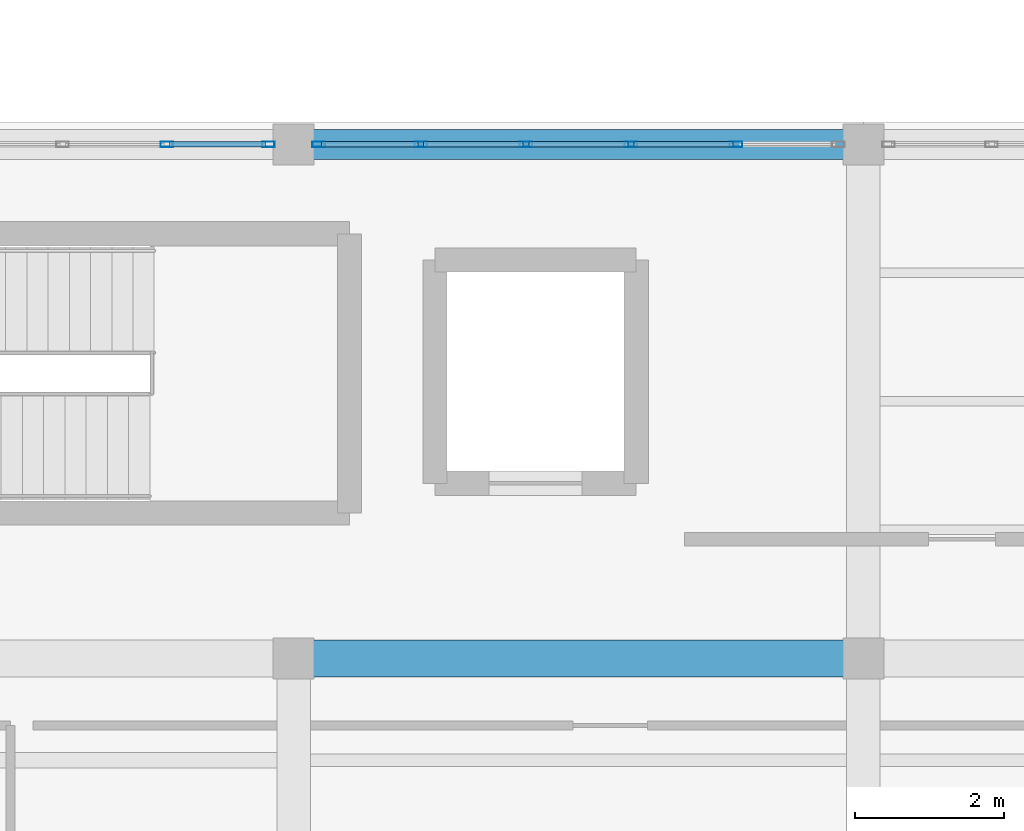
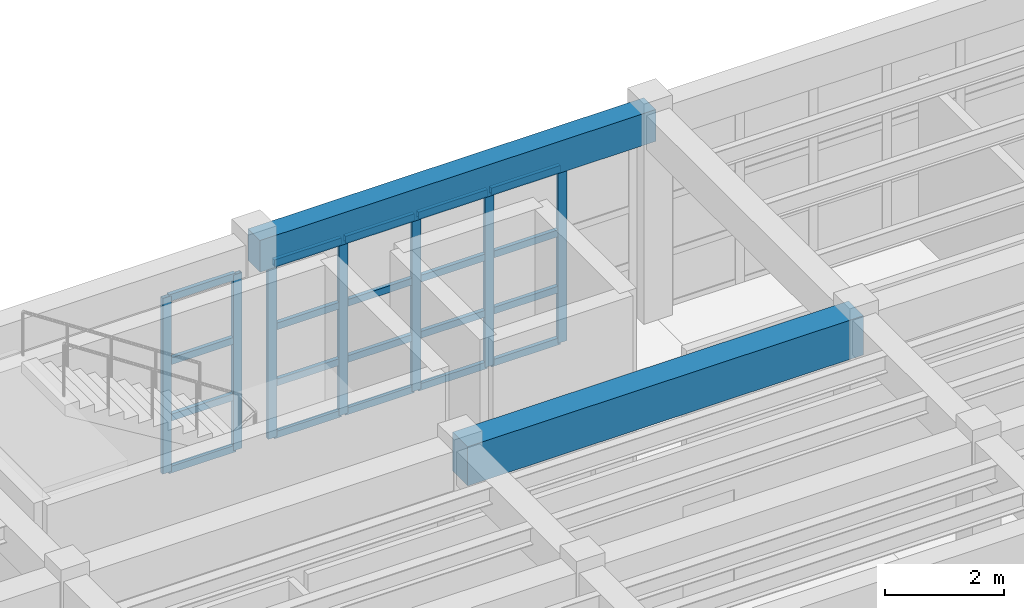
# One storey, part 27 of 85: 27 members, 2 beams, 2 elements without a shape of their own.
"""IFC4 building model written with IfcOpenShell, lengths in metres."""

from ifc_helpers import new_model, si_unit, direction, frame, origin, origin_2d, place, context, subcontext, project, spatial, rectangle, hollow_rectangle, extrude, material, layer, layer_set, material_profile, profile_set, type_object, element, aggregate, save


model = new_model("IFC4")

# Units and contexts
model_context = context("Model", 3, precision=1e-05, world=origin(), true_north=direction((0.0, 1.0)))
body_context = subcontext(model_context, "Body", "Model", "MODEL_VIEW")
ifc_project = project(units=[si_unit("LENGTHUNIT", "METRE"), si_unit("AREAUNIT", "SQUARE_METRE"), si_unit("VOLUMEUNIT", "CUBIC_METRE"), si_unit("PLANEANGLEUNIT", "RADIAN"), si_unit("MASSUNIT", "GRAM", prefix="KILO")], contexts=[model_context])

# Site, building, storey
site_placement = place(None, origin())
site = spatial("IfcSite", under=ifc_project, at=site_placement, CompositionType="ELEMENT")
building_placement = place(site_placement, origin())
building = spatial("IfcBuilding", under=site, at=building_placement, Name="Candilejo Ridge Gondola Terminal", CompositionType="ELEMENT")
storey_placement = place(building_placement, frame((0.0, 0.0, 4.5)))
storey = spatial("IfcBuildingStorey", under=building, at=storey_placement, Name="L01", CompositionType="ELEMENT", Elevation=4.5)

# Curtain wall, members
ifc_material_1 = material(Name="Anodised aluminium AA 6063-T6", Category="aluminium")
ifc_layer_1 = layer(ifc_material_1, 0.169921875)
ifc_layer_set_1 = layer_set([ifc_layer_1], Name="ARC-CW-GALLERY-3200-700X359")
curtain_wall_type_1 = type_object("IfcCurtainWallType", Name="ARC-CW-GALLERY-3200-700X359", PredefinedType="NOTDEFINED", material=ifc_layer_set_1)
curtain_wall_1_placement = place(storey_placement, origin())
curtain_wall_1 = element("IfcCurtainWall", 1, at=curtain_wall_1_placement, inside=storey, type_object=curtain_wall_type_1, Name="Curtain wall V3 L01-072", PredefinedType="NOTDEFINED")
ifc_material_2 = material(Name="Anodised aluminium AA 6063-T6", Category="aluminium")
ifc_material_profile_1 = material_profile(ifc_material_2, hollow_rectangle(XDim=0.074951171875, YDim=0.169921875, WallThickness=0.00390625, at=origin_2d()))
ifc_profile_set_1 = profile_set([ifc_material_profile_1], Name="Anodised aluminium AA 6063-T6")
member_type_1 = type_object("IfcMemberType", Name="ARC-CW-MULLION", PredefinedType="MULLION", material=ifc_profile_set_1)
member_1_placement = place(storey_placement, frame((100.5, 36.699951171875, 0.0), z_axis=(0.0, 0.0, 1.0), x_axis=(0.0, 1.0, 0.0)))
member_1 = element("IfcMember", 2, at=member_1_placement, type_object=member_type_1, Name="CW-70X35 mullion 5", PredefinedType="MULLION", context=body_context, shape_type="SweptSolid", body=[
    extrude(hollow_rectangle(XDim=0.074951171875, YDim=0.169921875, WallThickness=0.00390625, at=origin_2d()), origin(), (0.0, 0.0, 1.0), 3.590087890625),
])
member_2_placement = place(storey_placement, frame((101.862548828125, 36.699951171875, 0.0), z_axis=(0.0, 0.0, 1.0), x_axis=(0.0, 1.0, 0.0)))
member_2 = element("IfcMember", 3, at=member_2_placement, type_object=member_type_1, Name="CW-70X35 mullion 6", PredefinedType="MULLION", context=body_context, shape_type="SweptSolid", body=[
    extrude(hollow_rectangle(XDim=0.074951171875, YDim=0.169921875, WallThickness=0.00390625, at=origin_2d()), origin(), (0.0, 0.0, 1.0), 3.590087890625),
])

ifc_material_3 = material(Name="Anodised aluminium AA 6063-T6", Category="aluminium")
ifc_layer_2 = layer(ifc_material_3, 0.169921875)
ifc_layer_set_2 = layer_set([ifc_layer_2], Name="ARC-CW-GALLERY-3200-705X359")
curtain_wall_type_2 = type_object("IfcCurtainWallType", Name="ARC-CW-GALLERY-3200-705X359", PredefinedType="NOTDEFINED", material=ifc_layer_set_2)
curtain_wall_2_placement = place(storey_placement, origin())
curtain_wall_2 = element("IfcCurtainWall", 4, at=curtain_wall_2_placement, inside=storey, type_object=curtain_wall_type_2, Name="Curtain wall V3 L01-074", PredefinedType="NOTDEFINED")
member_3_placement = place(storey_placement, frame((102.53759765625, 36.699951171875, 0.0), z_axis=(0.0, 0.0, 1.0), x_axis=(0.0, 1.0, 0.0)))
member_3 = element("IfcMember", 5, at=member_3_placement, type_object=member_type_1, Name="CW-70X35 mullion 1", PredefinedType="MULLION", context=body_context, shape_type="SweptSolid", body=[
    extrude(hollow_rectangle(XDim=0.074951171875, YDim=0.169921875, WallThickness=0.00390625, at=origin_2d()), origin(), (0.0, 0.0, 1.0), 3.590087890625),
])
member_4_placement = place(storey_placement, frame((103.909912109375, 36.699951171875, 0.0), z_axis=(0.0, 0.0, 1.0), x_axis=(0.0, 1.0, 0.0)))
member_4 = element("IfcMember", 6, at=member_4_placement, type_object=member_type_1, Name="CW-70X35 mullion 2", PredefinedType="MULLION", context=body_context, shape_type="SweptSolid", body=[
    extrude(hollow_rectangle(XDim=0.074951171875, YDim=0.169921875, WallThickness=0.00390625, at=origin_2d()), origin(), (0.0, 0.0, 1.0), 3.590087890625),
])
member_5_placement = place(storey_placement, frame((105.320068359375, 36.699951171875, 0.0), z_axis=(0.0, 0.0, 1.0), x_axis=(0.0, 1.0, 0.0)))
member_5 = element("IfcMember", 7, at=member_5_placement, type_object=member_type_1, Name="CW-70X35 mullion 3", PredefinedType="MULLION", context=body_context, shape_type="SweptSolid", body=[
    extrude(hollow_rectangle(XDim=0.074951171875, YDim=0.169921875, WallThickness=0.00390625, at=origin_2d()), origin(), (0.0, 0.0, 1.0), 3.590087890625),
])
member_6_placement = place(storey_placement, frame((106.72998046875, 36.699951171875, 0.0), z_axis=(0.0, 0.0, 1.0), x_axis=(0.0, 1.0, 0.0)))
member_6 = element("IfcMember", 8, at=member_6_placement, type_object=member_type_1, Name="CW-70X35 mullion 4", PredefinedType="MULLION", context=body_context, shape_type="SweptSolid", body=[
    extrude(hollow_rectangle(XDim=0.074951171875, YDim=0.169921875, WallThickness=0.00390625, at=origin_2d()), origin(), (0.0, 0.0, 1.0), 3.590087890625),
])
member_7_placement = place(storey_placement, frame((108.139892578125, 36.699951171875, 0.0), z_axis=(0.0, 0.0, 1.0), x_axis=(0.0, 1.0, 0.0)))
member_7 = element("IfcMember", 9, at=member_7_placement, type_object=member_type_1, Name="CW-70X35 mullion 5", PredefinedType="MULLION", context=body_context, shape_type="SweptSolid", body=[
    extrude(hollow_rectangle(XDim=0.074951171875, YDim=0.169921875, WallThickness=0.00390625, at=origin_2d()), origin(), (0.0, 0.0, 1.0), 3.590087890625),
])

# Member
ifc_material_4 = material(Name="Anodised aluminium AA 6063-T6", Category="aluminium")
ifc_material_profile_2 = material_profile(ifc_material_4, hollow_rectangle(XDim=0.074951171875, YDim=0.139892578125, WallThickness=0.00390625, at=origin_2d()))
ifc_profile_set_2 = profile_set([ifc_material_profile_2], Name="Anodised aluminium AA 6063-T6")
member_type_2 = type_object("IfcMemberType", Name="ARC-CW-TRANSOM", PredefinedType="USERDEFINED", material=ifc_profile_set_2)
member_8_placement = place(storey_placement, frame((100.53759765625, 36.699951171875, 0.03759765625), z_axis=(1.0, 0.0, 0.0), x_axis=(0.0, 1.0, 0.0)))
member_8 = element("IfcMember", 10, at=member_8_placement, type_object=member_type_2, Name="CW-70X35 transom 5.1", ObjectType="TRANSOM", PredefinedType="USERDEFINED", context=body_context, shape_type="SweptSolid", body=[
    extrude(hollow_rectangle(XDim=0.074951171875, YDim=0.139892578125, WallThickness=0.00390625, at=origin_2d()), origin(), (0.0, 0.0, 1.0), 1.287353515625),
])

member_9_placement = place(storey_placement, frame((100.53759765625, 36.699951171875, 1.10009765625), z_axis=(1.0, 0.0, 0.0), x_axis=(0.0, 1.0, 0.0)))
member_9 = element("IfcMember", 11, at=member_9_placement, type_object=member_type_2, Name="CW-70X35 transom 5.2", ObjectType="TRANSOM", PredefinedType="USERDEFINED", context=body_context, shape_type="SweptSolid", body=[
    extrude(hollow_rectangle(XDim=0.074951171875, YDim=0.139892578125, WallThickness=0.00390625, at=origin_2d()), origin(), (0.0, 0.0, 1.0), 1.287353515625),
])

member_10_placement = place(storey_placement, frame((100.53759765625, 36.699951171875, 2.25), z_axis=(1.0, 0.0, 0.0), x_axis=(0.0, 1.0, 0.0)))
member_10 = element("IfcMember", 12, at=member_10_placement, type_object=member_type_2, Name="CW-70X35 transom 5.3", ObjectType="TRANSOM", PredefinedType="USERDEFINED", context=body_context, shape_type="SweptSolid", body=[
    extrude(hollow_rectangle(XDim=0.074951171875, YDim=0.139892578125, WallThickness=0.00390625, at=origin_2d()), origin(), (0.0, 0.0, 1.0), 1.287353515625),
])

member_11_placement = place(storey_placement, frame((100.53759765625, 36.699951171875, 3.552490234375), z_axis=(1.0, 0.0, 0.0), x_axis=(0.0, 1.0, 0.0)))
member_11 = element("IfcMember", 13, at=member_11_placement, type_object=member_type_2, Name="CW-70X35 transom 5.4", ObjectType="TRANSOM", PredefinedType="USERDEFINED", context=body_context, shape_type="SweptSolid", body=[
    extrude(hollow_rectangle(XDim=0.074951171875, YDim=0.139892578125, WallThickness=0.00390625, at=origin_2d()), origin(), (0.0, 0.0, 1.0), 1.287353515625),
])

aggregate(curtain_wall_1, [member_1, member_2, member_8, member_9, member_10, member_11])

member_12_placement = place(storey_placement, frame((102.574951171875, 36.699951171875, 0.03759765625), z_axis=(1.0, 0.0, 0.0), x_axis=(0.0, 1.0, 0.0)))
member_12 = element("IfcMember", 14, at=member_12_placement, type_object=member_type_2, Name="CW-70X35 transom 1.1", ObjectType="TRANSOM", PredefinedType="USERDEFINED", context=body_context, shape_type="SweptSolid", body=[
    extrude(hollow_rectangle(XDim=0.074951171875, YDim=0.139892578125, WallThickness=0.00390625, at=origin_2d()), origin(), (0.0, 0.0, 1.0), 1.297607421875),
])

member_13_placement = place(storey_placement, frame((102.574951171875, 36.699951171875, 1.10009765625), z_axis=(1.0, 0.0, 0.0), x_axis=(0.0, 1.0, 0.0)))
member_13 = element("IfcMember", 15, at=member_13_placement, type_object=member_type_2, Name="CW-70X35 transom 1.2", ObjectType="TRANSOM", PredefinedType="USERDEFINED", context=body_context, shape_type="SweptSolid", body=[
    extrude(hollow_rectangle(XDim=0.074951171875, YDim=0.139892578125, WallThickness=0.00390625, at=origin_2d()), origin(), (0.0, 0.0, 1.0), 1.297607421875),
])

member_14_placement = place(storey_placement, frame((102.574951171875, 36.699951171875, 2.25), z_axis=(1.0, 0.0, 0.0), x_axis=(0.0, 1.0, 0.0)))
member_14 = element("IfcMember", 16, at=member_14_placement, type_object=member_type_2, Name="CW-70X35 transom 1.3", ObjectType="TRANSOM", PredefinedType="USERDEFINED", context=body_context, shape_type="SweptSolid", body=[
    extrude(hollow_rectangle(XDim=0.074951171875, YDim=0.139892578125, WallThickness=0.00390625, at=origin_2d()), origin(), (0.0, 0.0, 1.0), 1.297607421875),
])

member_15_placement = place(storey_placement, frame((102.574951171875, 36.699951171875, 3.552490234375), z_axis=(1.0, 0.0, 0.0), x_axis=(0.0, 1.0, 0.0)))
member_15 = element("IfcMember", 17, at=member_15_placement, type_object=member_type_2, Name="CW-70X35 transom 1.4", ObjectType="TRANSOM", PredefinedType="USERDEFINED", context=body_context, shape_type="SweptSolid", body=[
    extrude(hollow_rectangle(XDim=0.074951171875, YDim=0.139892578125, WallThickness=0.00390625, at=origin_2d()), origin(), (0.0, 0.0, 1.0), 1.297607421875),
])

member_16_placement = place(storey_placement, frame((103.947509765625, 36.699951171875, 0.03759765625), z_axis=(1.0, 0.0, 0.0), x_axis=(0.0, 1.0, 0.0)))
member_16 = element("IfcMember", 18, at=member_16_placement, type_object=member_type_2, Name="CW-70X35 transom 2.1", ObjectType="TRANSOM", PredefinedType="USERDEFINED", context=body_context, shape_type="SweptSolid", body=[
    extrude(hollow_rectangle(XDim=0.074951171875, YDim=0.139892578125, WallThickness=0.00390625, at=origin_2d()), origin(), (0.0, 0.0, 1.0), 1.3349609375),
])

member_17_placement = place(storey_placement, frame((103.947509765625, 36.699951171875, 1.10009765625), z_axis=(1.0, 0.0, 0.0), x_axis=(0.0, 1.0, 0.0)))
member_17 = element("IfcMember", 19, at=member_17_placement, type_object=member_type_2, Name="CW-70X35 transom 2.2", ObjectType="TRANSOM", PredefinedType="USERDEFINED", context=body_context, shape_type="SweptSolid", body=[
    extrude(hollow_rectangle(XDim=0.074951171875, YDim=0.139892578125, WallThickness=0.00390625, at=origin_2d()), origin(), (0.0, 0.0, 1.0), 1.3349609375),
])

member_18_placement = place(storey_placement, frame((103.947509765625, 36.699951171875, 2.25), z_axis=(1.0, 0.0, 0.0), x_axis=(0.0, 1.0, 0.0)))
member_18 = element("IfcMember", 20, at=member_18_placement, type_object=member_type_2, Name="CW-70X35 transom 2.3", ObjectType="TRANSOM", PredefinedType="USERDEFINED", context=body_context, shape_type="SweptSolid", body=[
    extrude(hollow_rectangle(XDim=0.074951171875, YDim=0.139892578125, WallThickness=0.00390625, at=origin_2d()), origin(), (0.0, 0.0, 1.0), 1.3349609375),
])

member_19_placement = place(storey_placement, frame((103.947509765625, 36.699951171875, 3.552490234375), z_axis=(1.0, 0.0, 0.0), x_axis=(0.0, 1.0, 0.0)))
member_19 = element("IfcMember", 21, at=member_19_placement, type_object=member_type_2, Name="CW-70X35 transom 2.4", ObjectType="TRANSOM", PredefinedType="USERDEFINED", context=body_context, shape_type="SweptSolid", body=[
    extrude(hollow_rectangle(XDim=0.074951171875, YDim=0.139892578125, WallThickness=0.00390625, at=origin_2d()), origin(), (0.0, 0.0, 1.0), 1.3349609375),
])

member_20_placement = place(storey_placement, frame((105.357421875, 36.699951171875, 0.03759765625), z_axis=(1.0, 0.0, 0.0), x_axis=(0.0, 1.0, 0.0)))
member_20 = element("IfcMember", 22, at=member_20_placement, type_object=member_type_2, Name="CW-70X35 transom 3.1", ObjectType="TRANSOM", PredefinedType="USERDEFINED", context=body_context, shape_type="SweptSolid", body=[
    extrude(hollow_rectangle(XDim=0.074951171875, YDim=0.139892578125, WallThickness=0.00390625, at=origin_2d()), origin(), (0.0, 0.0, 1.0), 1.3349609375),
])

member_21_placement = place(storey_placement, frame((105.357421875, 36.699951171875, 1.10009765625), z_axis=(1.0, 0.0, 0.0), x_axis=(0.0, 1.0, 0.0)))
member_21 = element("IfcMember", 23, at=member_21_placement, type_object=member_type_2, Name="CW-70X35 transom 3.2", ObjectType="TRANSOM", PredefinedType="USERDEFINED", context=body_context, shape_type="SweptSolid", body=[
    extrude(hollow_rectangle(XDim=0.074951171875, YDim=0.139892578125, WallThickness=0.00390625, at=origin_2d()), origin(), (0.0, 0.0, 1.0), 1.3349609375),
])

member_22_placement = place(storey_placement, frame((105.357421875, 36.699951171875, 2.25), z_axis=(1.0, 0.0, 0.0), x_axis=(0.0, 1.0, 0.0)))
member_22 = element("IfcMember", 24, at=member_22_placement, type_object=member_type_2, Name="CW-70X35 transom 3.3", ObjectType="TRANSOM", PredefinedType="USERDEFINED", context=body_context, shape_type="SweptSolid", body=[
    extrude(hollow_rectangle(XDim=0.074951171875, YDim=0.139892578125, WallThickness=0.00390625, at=origin_2d()), origin(), (0.0, 0.0, 1.0), 1.3349609375),
])

member_23_placement = place(storey_placement, frame((105.357421875, 36.699951171875, 3.552490234375), z_axis=(1.0, 0.0, 0.0), x_axis=(0.0, 1.0, 0.0)))
member_23 = element("IfcMember", 25, at=member_23_placement, type_object=member_type_2, Name="CW-70X35 transom 3.4", ObjectType="TRANSOM", PredefinedType="USERDEFINED", context=body_context, shape_type="SweptSolid", body=[
    extrude(hollow_rectangle(XDim=0.074951171875, YDim=0.139892578125, WallThickness=0.00390625, at=origin_2d()), origin(), (0.0, 0.0, 1.0), 1.3349609375),
])

member_24_placement = place(storey_placement, frame((106.767578125, 36.699951171875, 0.03759765625), z_axis=(1.0, 0.0, 0.0), x_axis=(0.0, 1.0, 0.0)))
member_24 = element("IfcMember", 26, at=member_24_placement, type_object=member_type_2, Name="CW-70X35 transom 4.1", ObjectType="TRANSOM", PredefinedType="USERDEFINED", context=body_context, shape_type="SweptSolid", body=[
    extrude(hollow_rectangle(XDim=0.074951171875, YDim=0.139892578125, WallThickness=0.00390625, at=origin_2d()), origin(), (0.0, 0.0, 1.0), 1.3349609375),
])

member_25_placement = place(storey_placement, frame((106.767578125, 36.699951171875, 1.10009765625), z_axis=(1.0, 0.0, 0.0), x_axis=(0.0, 1.0, 0.0)))
member_25 = element("IfcMember", 27, at=member_25_placement, type_object=member_type_2, Name="CW-70X35 transom 4.2", ObjectType="TRANSOM", PredefinedType="USERDEFINED", context=body_context, shape_type="SweptSolid", body=[
    extrude(hollow_rectangle(XDim=0.074951171875, YDim=0.139892578125, WallThickness=0.00390625, at=origin_2d()), origin(), (0.0, 0.0, 1.0), 1.3349609375),
])

member_26_placement = place(storey_placement, frame((106.767578125, 36.699951171875, 2.25), z_axis=(1.0, 0.0, 0.0), x_axis=(0.0, 1.0, 0.0)))
member_26 = element("IfcMember", 28, at=member_26_placement, type_object=member_type_2, Name="CW-70X35 transom 4.3", ObjectType="TRANSOM", PredefinedType="USERDEFINED", context=body_context, shape_type="SweptSolid", body=[
    extrude(hollow_rectangle(XDim=0.074951171875, YDim=0.139892578125, WallThickness=0.00390625, at=origin_2d()), origin(), (0.0, 0.0, 1.0), 1.3349609375),
])

member_27_placement = place(storey_placement, frame((106.767578125, 36.699951171875, 3.552490234375), z_axis=(1.0, 0.0, 0.0), x_axis=(0.0, 1.0, 0.0)))
member_27 = element("IfcMember", 29, at=member_27_placement, type_object=member_type_2, Name="CW-70X35 transom 4.4", ObjectType="TRANSOM", PredefinedType="USERDEFINED", context=body_context, shape_type="SweptSolid", body=[
    extrude(hollow_rectangle(XDim=0.074951171875, YDim=0.139892578125, WallThickness=0.00390625, at=origin_2d()), origin(), (0.0, 0.0, 1.0), 1.3349609375),
])

aggregate(curtain_wall_2, [member_3, member_4, member_5, member_6, member_7, member_12, member_13, member_14, member_15, member_16, member_17, member_18, member_19, member_20, member_21, member_22, member_23, member_24, member_25, member_26, member_27])

# Beams
ifc_material_5 = material(Name="Concrete f'c 35 MPa (C35/45)", Category="concrete")
ifc_material_profile_3 = material_profile(ifc_material_5, rectangle(XDim=0.5, YDim=0.800048828125, at=origin_2d()))
ifc_profile_set_3 = profile_set([ifc_material_profile_3], Name="Concrete f'c 35 MPa (C35/45)")
beam_type_1 = type_object("IfcBeamType", Name="STR-BM-RC500X800", PredefinedType="BEAM", material=ifc_profile_set_3)
beam_1_placement = place(storey_placement, frame((102.199951171875, 29.800048828125, 3.85009765625), z_axis=(1.0, 0.0, 0.0), x_axis=(0.0, 1.0, 0.0)))
element("IfcBeam", 30, at=beam_1_placement, inside=storey, type_object=beam_type_1, Name="Beam X V3 L01 X16-X17@Y06", PredefinedType="BEAM", context=body_context, shape_type="SweptSolid", body=[
    extrude(rectangle(XDim=0.5, YDim=0.800048828125, at=origin_2d()), origin(), (0.0, 0.0, 1.0), 7.650146484375),
])
ifc_material_6 = material(Name="Concrete f'c 35 MPa (C35/45)", Category="concrete")
ifc_material_profile_4 = material_profile(ifc_material_6, rectangle(XDim=0.39990234375, YDim=0.64990234375, at=origin_2d()))
ifc_profile_set_4 = profile_set([ifc_material_profile_4], Name="Concrete f'c 35 MPa (C35/45)")
beam_type_2 = type_object("IfcBeamType", Name="STR-SPN-RC400X650", PredefinedType="SPANDREL", material=ifc_profile_set_4)
beam_2_placement = place(storey_placement, frame((102.199951171875, 36.699951171875, 3.925048828125), z_axis=(1.0, 0.0, 0.0), x_axis=(0.0, 1.0, 0.0)))
element("IfcBeam", 31, at=beam_2_placement, inside=storey, type_object=beam_type_2, Name="Beam X V3 L01 X16-X17@Y07", PredefinedType="SPANDREL", context=body_context, shape_type="SweptSolid", body=[
    extrude(rectangle(XDim=0.39990234375, YDim=0.64990234375, at=origin_2d()), origin(), (0.0, 0.0, 1.0), 7.650146484375),
])

save(model, "model.ifc")
